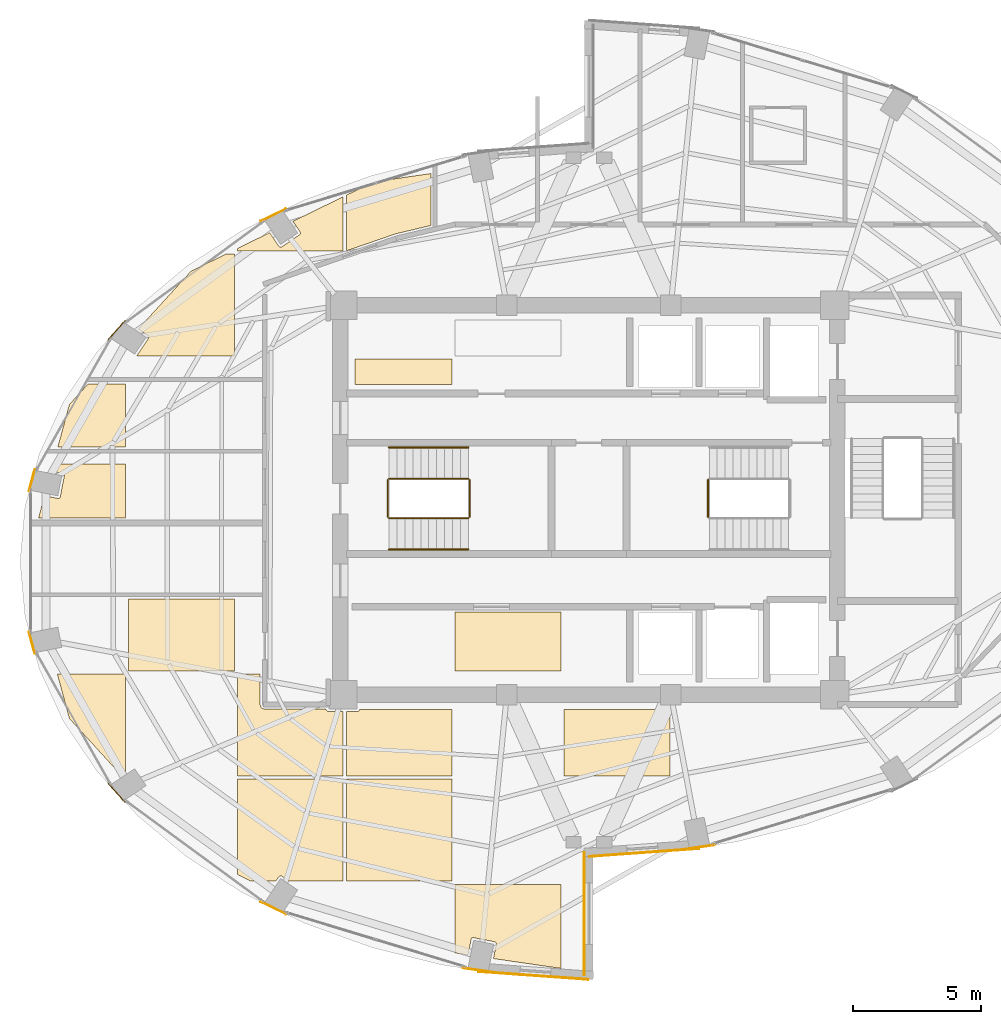
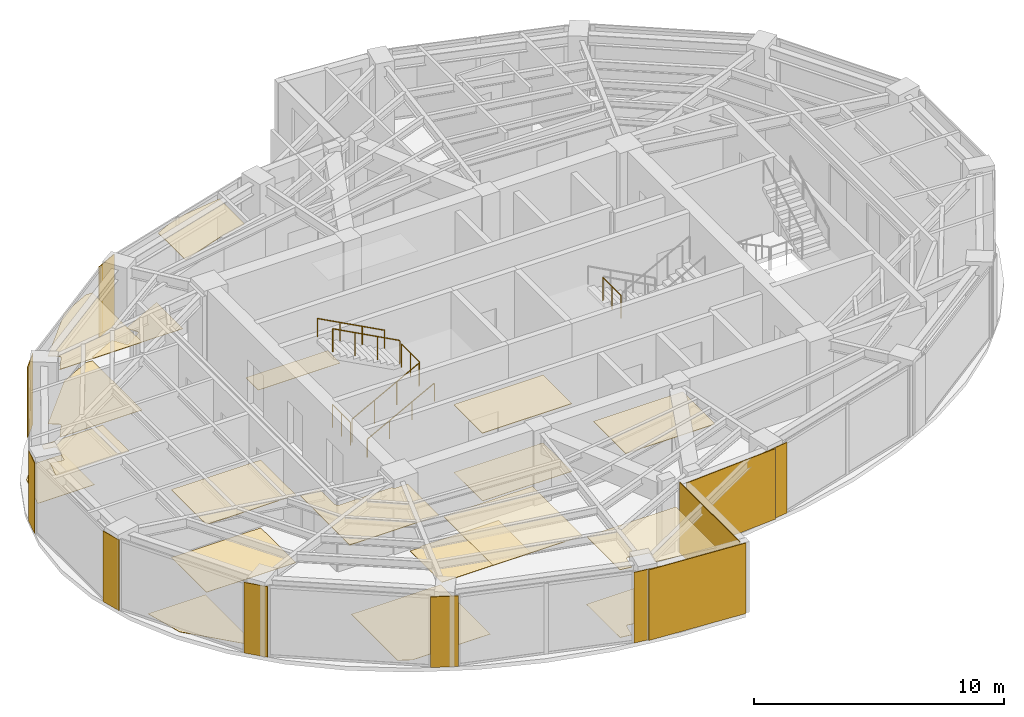
# One storey, part 22 of 23: 30 coverings, 7 railings.
"""IFC4 building model written with IfcOpenShell, lengths in metres."""

from ifc_helpers import new_model, si_unit, direction, frame, origin, origin_2d, place, context, subcontext, project, spatial, polyline, rectangle, circle, outline, extrude, material, layer, layer_set, type_object, element, save


model = new_model("IFC4")

# Units and contexts
model_context = context("Model", 3, precision=1e-05, world=origin(), true_north=direction((0.0, 1.0)))
body_context = subcontext(model_context, "Body", "Model", "MODEL_VIEW")
ifc_project = project(units=[si_unit("LENGTHUNIT", "METRE"), si_unit("AREAUNIT", "SQUARE_METRE"), si_unit("VOLUMEUNIT", "CUBIC_METRE"), si_unit("PLANEANGLEUNIT", "RADIAN"), si_unit("MASSUNIT", "GRAM", prefix="KILO")], contexts=[model_context])

# Site, building, storey
site_placement = place(None, origin())
site = spatial("IfcSite", under=ifc_project, at=site_placement, CompositionType="ELEMENT")
building_placement = place(site_placement, origin())
building = spatial("IfcBuilding", under=site, at=building_placement, Name="Lazwardi Medical Tower", CompositionType="ELEMENT")
storey_placement = place(building_placement, frame((0.0, 0.0, 198.47998046875)))
storey = spatial("IfcBuildingStorey", under=building, at=storey_placement, Name="L51", CompositionType="ELEMENT", Elevation=198.47998046875)

# Coverings
ifc_material_1 = material(Name="Anodised bronze aluminium cassette cladding", Category="aluminium")
ifc_layer_1 = layer(ifc_material_1, 0.030029296875)
ifc_layer_set_1 = layer_set([ifc_layer_1], Name="Anodised bronze aluminium cassette cladding")
covering_type_1 = type_object("IfcCoveringType", Name="COV-CLD-BRZ", PredefinedType="CLADDING", material=ifc_layer_set_1)
covering_1_placement = place(storey_placement, frame((40.3232421875, 14.450439453125, 0.0), z_axis=(0.0, 0.0, 1.0), x_axis=(0.989512431533, 0.144447733943, 0.0)))
element("IfcCovering", 1, at=covering_1_placement, inside=storey, type_object=covering_type_1, Name="L51 Mega-column bronze cassette cover M01", PredefinedType="CLADDING", context=body_context, shape_type="SweptSolid", body=[
    extrude(rectangle(XDim=1.188720703125, YDim=0.030029296875, at=origin_2d()), origin(), (0.0, 0.0, 1.0), 3.447998046875),
])
covering_2_placement = place(storey_placement, frame((23.688720703125, 39.121337890625, 0.0), z_axis=(0.0, 0.0, 1.0), x_axis=(-0.897840141691, -0.440321564278, 0.0)))
element("IfcCovering", 2, at=covering_2_placement, inside=storey, type_object=covering_type_1, Name="L51 Mega-column bronze cassette cover M10", PredefinedType="CLADDING", context=body_context, shape_type="SweptSolid", body=[
    extrude(rectangle(XDim=1.110595703125, YDim=0.030029296875, at=origin_2d()), origin(), (0.0, 0.0, 1.0), 3.447998046875),
])
covering_3_placement = place(storey_placement, frame((17.57470703125, 34.634765625, 0.0), z_axis=(0.0, 0.0, 1.0), x_axis=(-0.673240970654, -0.739423150458, 0.0)))
element("IfcCovering", 3, at=covering_3_placement, inside=storey, type_object=covering_type_1, Name="L51 Mega-column bronze cassette cover M11", PredefinedType="CLADDING", context=body_context, shape_type="SweptSolid", body=[
    extrude(rectangle(XDim=0.98974609375, YDim=0.030029296875, at=origin_2d()), origin(), (0.0, 0.0, 1.0), 3.447998046875),
])
for number, where, z_axis, x_axis, name in (
    (4, (14.265869140625, 28.772705078125, 0.0), (0.0, 0.0, 1.0), (-0.261641748247, -0.96516506131, 0.0), "L51 Mega-column bronze cassette cover M12"),
    (5, (14.265869140625, 22.427490234375, 0.0), (0.0, 0.0, 1.0), (0.261641748247, -0.96516506131, 0.0), "L51 Mega-column bronze cassette cover M13"),
):
    element("IfcCovering", number, at=place(storey_placement, frame(where, z_axis=z_axis, x_axis=x_axis)), inside=storey, type_object=covering_type_1, Name=name, PredefinedType="CLADDING", context=body_context, shape_type="SweptSolid", body=[
        extrude(rectangle(XDim=0.894287109375, YDim=0.030029296875, at=origin_2d()), origin(), (0.0, 0.0, 1.0), 3.447998046875),
    ])
covering_4_placement = place(storey_placement, frame((17.57470703125, 16.565185546875, 0.0), z_axis=(0.0, 0.0, 1.0), x_axis=(0.673240970654, -0.739423150458, 0.0)))
element("IfcCovering", 6, at=covering_4_placement, inside=storey, type_object=covering_type_1, Name="L51 Mega-column bronze cassette cover M14", PredefinedType="CLADDING", context=body_context, shape_type="SweptSolid", body=[
    extrude(rectangle(XDim=0.98974609375, YDim=0.030029296875, at=origin_2d()), origin(), (0.0, 0.0, 1.0), 3.447998046875),
])
covering_5_placement = place(storey_placement, frame((23.688720703125, 12.07861328125, 0.0), z_axis=(0.0, 0.0, 1.0), x_axis=(0.897840141691, -0.440321564278, 0.0)))
element("IfcCovering", 7, at=covering_5_placement, inside=storey, type_object=covering_type_1, Name="L51 Mega-column bronze cassette cover M15", PredefinedType="CLADDING", context=body_context, shape_type="SweptSolid", body=[
    extrude(rectangle(XDim=1.110595703125, YDim=0.030029296875, at=origin_2d()), origin(), (0.0, 0.0, 1.0), 3.447998046875),
])
covering_6_placement = place(storey_placement, frame((31.6767578125, 9.650390625, 0.0), z_axis=(0.0, 0.0, 1.0), x_axis=(0.989512431533, -0.144447733943, 0.0)))
element("IfcCovering", 8, at=covering_6_placement, inside=storey, type_object=covering_type_1, Name="L51 Mega-column bronze cassette cover M16", PredefinedType="CLADDING", context=body_context, shape_type="SweptSolid", body=[
    extrude(rectangle(XDim=1.188720703125, YDim=0.030029296875, at=origin_2d()), origin(), (0.0, 0.0, 1.0), 3.447998046875),
])
ifc_material_2 = material(Name="Turquoise glazed ceramic tilework cladding", Category="masonry")
ifc_layer_2 = layer(ifc_material_2, 0.034912109375)
ifc_layer_set_2 = layer_set([ifc_layer_2], Name="Turquoise glazed ceramic tilework cladding")
covering_type_2 = type_object("IfcCoveringType", Name="COV-CLD-TRQ", PredefinedType="CLADDING", material=ifc_layer_set_2)
covering_7_placement = place(storey_placement, frame((38.16259765625, 14.239990234375, 0.0), z_axis=(0.0, 0.0, 1.0), x_axis=(0.997409491337, 0.071932653157, 0.0)))
element("IfcCovering", 9, at=covering_7_placement, inside=storey, type_object=covering_type_2, Name="L51 Turquoise glazed ceramic tilework cladding", PredefinedType="CLADDING", context=body_context, shape_type="SweptSolid", body=[
    extrude(rectangle(XDim=4.31103515625, YDim=0.034912109375, at=origin_2d()), origin(), (0.0, 0.0, 1.0), 3.447998046875),
])
covering_8_placement = place(storey_placement, frame((33.83740234375, 9.43994140625, 0.0), z_axis=(0.0, 0.0, 1.0), x_axis=(0.997408989128, -0.071939616387, 0.0)))
element("IfcCovering", 10, at=covering_8_placement, inside=storey, type_object=covering_type_2, Name="L51 Turquoise glazed ceramic tilework cladding", PredefinedType="CLADDING", context=body_context, shape_type="SweptSolid", body=[
    extrude(rectangle(XDim=4.310546875, YDim=0.034912109375, at=origin_2d()), origin(), (0.0, 0.0, 1.0), 3.447998046875),
])
covering_9_placement = place(storey_placement, frame((35.824462890625, 11.860107421875, 0.0), z_axis=(0.0, 0.0, 1.0), x_axis=(0.0, 1.0, 0.0)))
element("IfcCovering", 11, at=covering_9_placement, inside=storey, type_object=covering_type_2, Name="L51 Turquoise glazed ceramic tilework iwan panel", PredefinedType="CLADDING", context=body_context, shape_type="SweptSolid", body=[
    extrude(rectangle(XDim=4.800048828125, YDim=0.034912109375, at=origin_2d()), origin(), (0.0, 0.0, 1.0), 3.447998046875),
])
ifc_material_3 = material(Name="Acoustic mineral fibre tile")
ifc_layer_3 = layer(ifc_material_3, 0.02490234375)
ifc_layer_set_3 = layer_set([ifc_layer_3], Name="Acoustic mineral fibre tile")
covering_type_3 = type_object("IfcCoveringType", Name="COV-CLG-01", PredefinedType="CEILING", material=ifc_layer_set_3)
covering_10_placement = place(storey_placement, frame((0.0, 0.0, 3.302978515625)))
element("IfcCovering", 12, at=covering_10_placement, inside=storey, type_object=covering_type_3, Name="L51 Clinical Acoustic Ceiling 1", PredefinedType="CEILING", context=body_context, shape_type="SweptSolid", body=[
    extrude(outline(polyline([(15.09619140625, 29.402587890625), (15.0224609375, 29.13134765625), (15.4716796875, 29.0419921875), (15.479248046875, 29.040283203125), (15.486572265625, 29.03759765625), (15.49365234375, 29.0341796875), (15.50048828125, 29.030029296875), (15.5068359375, 29.025390625), (15.5126953125, 29.020263671875), (15.517822265625, 29.014404296875), (15.5224609375, 29.008056640625), (15.526611328125, 29.001220703125), (15.52978515625, 28.994140625), (15.53271484375, 28.98681640625), (15.534423828125, 28.979248046875), (15.53564453125, 28.971435546875), (15.535888671875, 28.963623046875), (15.53564453125, 28.955810546875), (15.534423828125, 28.947998046875), (15.37060546875, 28.124267578125), (15.36865234375, 28.11669921875), (15.365966796875, 28.109130859375), (15.36279296875, 28.10205078125), (15.358642578125, 28.095458984375), (15.35400390625, 28.089111328125), (15.3486328125, 28.083251953125), (15.343017578125, 28.077880859375), (15.33642578125, 28.0732421875), (15.329833984375, 28.069091796875), (15.32275390625, 28.06591796875), (15.315185546875, 28.063232421875), (15.3076171875, 28.061279296875), (15.2998046875, 28.060302734375), (15.2919921875, 28.059814453125), (15.2841796875, 28.060302734375), (15.276611328125, 28.061279296875), (14.759521484375, 28.1640625), (14.52490234375, 27.300048828125), (17.912841796875, 27.300048828125), (17.912841796875, 29.402587890625), (15.09619140625, 29.402587890625)])), origin(), (0.0, 0.0, 1.0), 0.025146484375),
])
covering_11_placement = place(storey_placement, frame((0.0, 0.0, 3.302978515625)))
element("IfcCovering", 13, at=covering_11_placement, inside=storey, type_object=covering_type_3, Name="L51 Clinical Acoustic Ceiling 2", PredefinedType="CEILING", context=body_context, shape_type="SweptSolid", body=[
    extrude(outline(polyline([(22.162841796875, 24.135009765625), (18.032958984375, 24.135009765625), (18.032958984375, 21.322509765625), (22.162841796875, 21.322509765625), (22.162841796875, 24.135009765625)])), origin(), (0.0, 0.0, 1.0), 0.025146484375),
])
covering_12_placement = place(storey_placement, frame((0.0, 0.0, 3.302978515625)))
element("IfcCovering", 14, at=covering_12_placement, inside=storey, type_object=covering_type_3, Name="L51 Clinical Acoustic Ceiling 3", PredefinedType="CEILING", context=body_context, shape_type="SweptSolid", body=[
    extrude(outline(polyline([(21.84619140625, 37.6025390625), (20.478271484375, 36.933349609375), (18.415283203125, 34.673095703125), (18.7919921875, 34.42138671875), (18.79833984375, 34.416748046875), (18.80419921875, 34.41162109375), (18.809326171875, 34.40576171875), (18.814208984375, 34.3994140625), (18.818115234375, 34.392578125), (18.821533203125, 34.385498046875), (18.82421875, 34.378173828125), (18.826171875, 34.37060546875), (18.8271484375, 34.36279296875), (18.82763671875, 34.35498046875), (18.8271484375, 34.34716796875), (18.826171875, 34.33935546875), (18.82421875, 34.331787109375), (18.821533203125, 34.324462890625), (18.818115234375, 34.3173828125), (18.814208984375, 34.310546875), (18.354248046875, 33.62255859375), (22.162841796875, 33.62255859375), (22.162841796875, 37.6025390625), (21.84619140625, 37.6025390625)])), origin(), (0.0, 0.0, 1.0), 0.025146484375),
])
covering_13_placement = place(storey_placement, frame((0.0, 0.0, 3.302978515625)))
element("IfcCovering", 15, at=covering_13_placement, inside=storey, type_object=covering_type_3, Name="L51 Clinical Acoustic Ceiling 4", PredefinedType="CEILING", context=body_context, shape_type="SweptSolid", body=[
    extrude(outline(polyline([(26.412841796875, 19.75), (25.830078125, 19.75), (25.822265625, 19.75048828125), (25.814453125, 19.75146484375), (25.806884765625, 19.75341796875), (25.79931640625, 19.756103515625), (25.792236328125, 19.759521484375), (25.78564453125, 19.763427734375), (25.779296875, 19.768310546875), (25.7734375, 19.7734375), (25.768310546875, 19.779296875), (25.763427734375, 19.78564453125), (25.759521484375, 19.792236328125), (25.756103515625, 19.79931640625), (25.75341796875, 19.806884765625), (25.75146484375, 19.814453125), (25.75048828125, 19.822265625), (25.75, 19.830078125), (25.75, 19.844970703125), (23.35009765625, 19.844970703125), (23.345703125, 19.84521484375), (23.33642578125, 19.845703125), (23.32958984375, 19.84619140625), (23.3203125, 19.84765625), (23.31201171875, 19.84912109375), (23.302734375, 19.8515625), (23.2958984375, 19.853515625), (23.287109375, 19.856689453125), (23.279296875, 19.860107421875), (23.270751953125, 19.864013671875), (23.263916015625, 19.86767578125), (23.256103515625, 19.872314453125), (23.249267578125, 19.876953125), (23.24169921875, 19.882568359375), (23.236083984375, 19.88720703125), (23.229248046875, 19.893310546875), (23.223388671875, 19.8994140625), (23.217041015625, 19.90625), (23.21240234375, 19.911865234375), (23.206787109375, 19.919189453125), (23.202392578125, 19.926025390625), (23.197509765625, 19.93408203125), (23.194091796875, 19.94091796875), (23.18994140625, 19.94921875), (23.186767578125, 19.95703125), (23.18359375, 19.9658203125), (23.181396484375, 19.972900390625), (23.17919921875, 19.98193359375), (23.177490234375, 19.990234375), (23.17626953125, 19.99951171875), (23.175537109375, 20.00634765625), (23.175048828125, 20.015625), (23.175048828125, 20.02001953125), (23.175048828125, 21.202392578125), (22.282958984375, 21.202392578125), (22.282958984375, 17.222412109375), (26.412841796875, 17.222412109375), (26.412841796875, 19.75)])), origin(), (0.0, 0.0, 1.0), 0.025146484375),
])
covering_14_placement = place(storey_placement, frame((0.0, 0.0, 3.302978515625)))
element("IfcCovering", 16, at=covering_14_placement, inside=storey, type_object=covering_type_3, Name="L51 Clinical Acoustic Ceiling 5", PredefinedType="CEILING", context=body_context, shape_type="SweptSolid", body=[
    extrude(outline(polyline([(30.662841796875, 13.12255859375), (30.662841796875, 17.1025390625), (26.532958984375, 17.1025390625), (26.532958984375, 13.12255859375), (30.662841796875, 13.12255859375)])), origin(), (0.0, 0.0, 1.0), 0.025146484375),
])
covering_15_placement = place(storey_placement, frame((0.0, 0.0, 3.302978515625)))
element("IfcCovering", 17, at=covering_15_placement, inside=storey, type_object=covering_type_3, Name="L51 Clinical Acoustic Ceiling 6", PredefinedType="CEILING", context=body_context, shape_type="SweptSolid", body=[
    extrude(outline(polyline([(26.532958984375, 37.72265625), (28.457763671875, 38.385498046875), (28.461669921875, 38.386962890625), (28.470703125, 38.389404296875), (28.474365234375, 38.390380859375), (29.8349609375, 38.713134765625), (29.8349609375, 40.741455078125), (27.59716796875, 40.41552734375), (26.532958984375, 39.89501953125), (26.532958984375, 37.72265625)])), origin(), (0.0, 0.0, 1.0), 0.025146484375),
])
covering_16_placement = place(storey_placement, frame((0.0, 0.0, 3.302978515625)))
element("IfcCovering", 18, at=covering_16_placement, inside=storey, type_object=covering_type_3, Name="L51 Clinical Acoustic Ceiling 7", PredefinedType="CEILING", context=body_context, shape_type="SweptSolid", body=[
    extrude(outline(polyline([(30.782958984375, 10.320556640625), (31.285400390625, 10.247314453125), (31.40673828125, 10.8583984375), (31.40869140625, 10.865966796875), (31.411376953125, 10.873291015625), (31.414794921875, 10.88037109375), (31.418701171875, 10.88720703125), (31.423583984375, 10.8935546875), (31.4287109375, 10.8994140625), (31.4345703125, 10.904541015625), (31.44091796875, 10.9091796875), (31.447509765625, 10.913330078125), (31.45458984375, 10.91650390625), (31.462158203125, 10.919189453125), (31.4697265625, 10.921142578125), (31.4775390625, 10.92236328125), (31.4853515625, 10.922607421875), (31.4931640625, 10.92236328125), (31.5009765625, 10.921142578125), (32.32470703125, 10.75732421875), (32.332275390625, 10.75537109375), (32.339599609375, 10.752685546875), (32.3466796875, 10.74951171875), (32.353515625, 10.745361328125), (32.35986328125, 10.740478515625), (32.36572265625, 10.7353515625), (32.370849609375, 10.7294921875), (32.37548828125, 10.72314453125), (32.379638671875, 10.716552734375), (32.383056640625, 10.70947265625), (32.3857421875, 10.701904296875), (32.3876953125, 10.6943359375), (32.388671875, 10.6865234375), (32.38916015625, 10.6787109375), (32.388671875, 10.6708984375), (32.3876953125, 10.6630859375), (32.276123046875, 10.10302734375), (34.912841796875, 9.71923828125), (34.912841796875, 13.00244140625), (30.782958984375, 13.00244140625), (30.782958984375, 10.320556640625)])), origin(), (0.0, 0.0, 1.0), 0.025146484375),
])
covering_17_placement = place(storey_placement, frame((0.0, 0.0, 3.302978515625)))
element("IfcCovering", 19, at=covering_17_placement, inside=storey, type_object=covering_type_3, Name="L51 Clinical Acoustic Ceiling 8", PredefinedType="CEILING", context=body_context, shape_type="SweptSolid", body=[
    extrude(outline(polyline([(34.912841796875, 23.6201171875), (30.782958984375, 23.6201171875), (30.782958984375, 21.322509765625), (34.912841796875, 21.322509765625), (34.912841796875, 23.6201171875)])), origin(), (0.0, 0.0, 1.0), 0.025146484375),
])
covering_18_placement = place(storey_placement, frame((0.0, 0.0, 3.302978515625)))
element("IfcCovering", 20, at=covering_18_placement, inside=storey, type_object=covering_type_3, Name="L51 Clinical Acoustic Ceiling 10", PredefinedType="CEILING", context=body_context, shape_type="SweptSolid", body=[
    extrude(outline(polyline([(39.162841796875, 19.820068359375), (35.032958984375, 19.820068359375), (35.032958984375, 17.222412109375), (39.162841796875, 17.222412109375), (39.162841796875, 19.820068359375)])), origin(), (0.0, 0.0, 1.0), 0.025146484375),
])
ifc_material_4 = material(Name="Anti-static hospital vinyl sheet flooring")
ifc_layer_4 = layer(ifc_material_4, 0.014892578125)
ifc_layer_set_4 = layer_set([ifc_layer_4], Name="Anti-static hospital vinyl sheet flooring")
covering_type_4 = type_object("IfcCoveringType", Name="COV-FLR-01", PredefinedType="FLOORING", material=ifc_layer_set_4)
covering_19_placement = place(storey_placement, origin())
element("IfcCovering", 21, at=covering_19_placement, inside=storey, type_object=covering_type_4, Name="L51 Clinical Vinyl Flooring 1", PredefinedType="FLOORING", context=body_context, shape_type="SweptSolid", body=[
    extrude(outline(polyline([(15.2578125, 21.202392578125), (15.728271484375, 19.470703125), (17.7333984375, 17.273681640625), (17.912841796875, 17.393798828125), (17.912841796875, 21.202392578125), (15.2578125, 21.202392578125)])), origin(), (0.0, 0.0, 1.0), 0.01513671875),
])
covering_20_placement = place(storey_placement, origin())
element("IfcCovering", 22, at=covering_20_placement, inside=storey, type_object=covering_type_4, Name="L51 Clinical Vinyl Flooring 2", PredefinedType="FLOORING", context=body_context, shape_type="SweptSolid", body=[
    extrude(outline(polyline([(17.912841796875, 32.534912109375), (16.4638671875, 32.534912109375), (15.728271484375, 31.729248046875), (15.276123046875, 30.06494140625), (17.912841796875, 30.06494140625), (17.912841796875, 32.534912109375)])), origin(), (0.0, 0.0, 1.0), 0.01513671875),
])
covering_21_placement = place(storey_placement, origin())
element("IfcCovering", 23, at=covering_21_placement, inside=storey, type_object=covering_type_4, Name="L51 Clinical Vinyl Flooring 3", PredefinedType="FLOORING", context=body_context, shape_type="SweptSolid", body=[
    extrude(outline(polyline([(22.162841796875, 24.135009765625), (18.032958984375, 24.135009765625), (18.032958984375, 21.322509765625), (22.162841796875, 21.322509765625), (22.162841796875, 24.135009765625)])), origin(), (0.0, 0.0, 1.0), 0.01513671875),
])
covering_22_placement = place(storey_placement, origin())
element("IfcCovering", 24, at=covering_22_placement, inside=storey, type_object=covering_type_4, Name="L51 Clinical Vinyl Flooring 4", PredefinedType="FLOORING", context=body_context, shape_type="SweptSolid", body=[
    extrude(outline(polyline([(21.84619140625, 37.6025390625), (20.478271484375, 36.933349609375), (18.415283203125, 34.673095703125), (18.7919921875, 34.42138671875), (18.79833984375, 34.416748046875), (18.80419921875, 34.41162109375), (18.809326171875, 34.40576171875), (18.814208984375, 34.3994140625), (18.818115234375, 34.392578125), (18.821533203125, 34.385498046875), (18.82421875, 34.378173828125), (18.826171875, 34.37060546875), (18.8271484375, 34.36279296875), (18.82763671875, 34.35498046875), (18.8271484375, 34.34716796875), (18.826171875, 34.33935546875), (18.82421875, 34.331787109375), (18.821533203125, 34.324462890625), (18.818115234375, 34.3173828125), (18.814208984375, 34.310546875), (18.354248046875, 33.62255859375), (22.162841796875, 33.62255859375), (22.162841796875, 37.6025390625), (21.84619140625, 37.6025390625)])), origin(), (0.0, 0.0, 1.0), 0.01513671875),
])
covering_23_placement = place(storey_placement, origin())
element("IfcCovering", 25, at=covering_23_placement, inside=storey, type_object=covering_type_4, Name="L51 Clinical Vinyl Flooring 5", PredefinedType="FLOORING", context=body_context, shape_type="SweptSolid", body=[
    extrude(outline(polyline([(22.282958984375, 13.3837890625), (22.8173828125, 13.12255859375), (23.78369140625, 13.12255859375), (23.900634765625, 13.297607421875), (23.905517578125, 13.303955078125), (23.91064453125, 13.309814453125), (23.91650390625, 13.31494140625), (23.9228515625, 13.319580078125), (23.929443359375, 13.32373046875), (23.9365234375, 13.3271484375), (23.944091796875, 13.329833984375), (23.95166015625, 13.331787109375), (23.95947265625, 13.332763671875), (23.96728515625, 13.333251953125), (23.97509765625, 13.332763671875), (23.98291015625, 13.331787109375), (23.990478515625, 13.329833984375), (23.997802734375, 13.3271484375), (24.0048828125, 13.32373046875), (24.01171875, 13.319580078125), (24.306884765625, 13.12255859375), (26.412841796875, 13.12255859375), (26.412841796875, 17.1025390625), (22.282958984375, 17.1025390625), (22.282958984375, 13.3837890625)])), origin(), (0.0, 0.0, 1.0), 0.01513671875),
])
covering_24_placement = place(storey_placement, origin())
element("IfcCovering", 26, at=covering_24_placement, inside=storey, type_object=covering_type_4, Name="L51 Clinical Vinyl Flooring 6", PredefinedType="FLOORING", context=body_context, shape_type="SweptSolid", body=[
    extrude(outline(polyline([(26.412841796875, 39.836181640625), (24.4521484375, 38.877197265625), (24.732177734375, 38.4580078125), (24.736083984375, 38.451171875), (24.739501953125, 38.444091796875), (24.7421875, 38.436767578125), (24.744140625, 38.42919921875), (24.7451171875, 38.42138671875), (24.74560546875, 38.41357421875), (24.7451171875, 38.40576171875), (24.744140625, 38.39794921875), (24.7421875, 38.390380859375), (24.739501953125, 38.3828125), (24.736083984375, 38.375732421875), (24.732177734375, 38.369140625), (24.727294921875, 38.36279296875), (24.72216796875, 38.35693359375), (24.71630859375, 38.351806640625), (24.7099609375, 38.346923828125), (24.01171875, 37.88037109375), (24.0048828125, 37.876220703125), (23.997802734375, 37.872802734375), (23.990478515625, 37.8701171875), (23.98291015625, 37.868408203125), (23.97509765625, 37.8671875), (23.96728515625, 37.86669921875), (23.95947265625, 37.8671875), (23.95166015625, 37.868408203125), (23.944091796875, 37.8701171875), (23.9365234375, 37.872802734375), (23.929443359375, 37.876220703125), (23.9228515625, 37.88037109375), (23.91650390625, 37.885009765625), (23.91064453125, 37.89013671875), (23.905517578125, 37.89599609375), (23.900634765625, 37.90234375), (23.545654296875, 38.43359375), (22.282958984375, 37.816162109375), (22.282958984375, 37.722412109375), (26.412841796875, 37.722412109375), (26.412841796875, 39.836181640625)])), origin(), (0.0, 0.0, 1.0), 0.01513671875),
])
covering_25_placement = place(storey_placement, origin())
element("IfcCovering", 27, at=covering_25_placement, inside=storey, type_object=covering_type_4, Name="L51 Clinical Vinyl Flooring 7", PredefinedType="FLOORING", context=body_context, shape_type="SweptSolid", body=[
    extrude(outline(polyline([(30.662841796875, 19.820068359375), (27.04931640625, 19.820068359375), (27.048583984375, 19.814453125), (27.046630859375, 19.806884765625), (27.0439453125, 19.79931640625), (27.04052734375, 19.792236328125), (27.03662109375, 19.78564453125), (27.03173828125, 19.779296875), (27.026611328125, 19.7734375), (27.020751953125, 19.768310546875), (27.014404296875, 19.763427734375), (27.0078125, 19.759521484375), (27.00048828125, 19.756103515625), (26.9931640625, 19.75341796875), (26.985595703125, 19.75146484375), (26.977783203125, 19.75048828125), (26.969970703125, 19.75), (26.532958984375, 19.75), (26.532958984375, 17.222412109375), (30.662841796875, 17.222412109375), (30.662841796875, 19.820068359375)])), origin(), (0.0, 0.0, 1.0), 0.01513671875),
])
covering_26_placement = place(storey_placement, origin())
element("IfcCovering", 28, at=covering_26_placement, inside=storey, type_object=covering_type_4, Name="L51 Clinical Vinyl Flooring 8", PredefinedType="FLOORING", context=body_context, shape_type="SweptSolid", body=[
    extrude(outline(polyline([(26.8798828125, 33.50244140625), (26.8798828125, 32.5), (30.662841796875, 32.5), (30.662841796875, 33.50244140625), (26.8798828125, 33.50244140625)])), origin(), (0.0, 0.0, 1.0), 0.01513671875),
])
covering_27_placement = place(storey_placement, origin())
element("IfcCovering", 29, at=covering_27_placement, inside=storey, type_object=covering_type_4, Name="L51 Clinical Vinyl Flooring 9", PredefinedType="FLOORING", context=body_context, shape_type="SweptSolid", body=[
    extrude(outline(polyline([(30.782958984375, 10.320556640625), (31.285400390625, 10.247314453125), (31.40673828125, 10.8583984375), (31.40869140625, 10.865966796875), (31.411376953125, 10.873291015625), (31.414794921875, 10.88037109375), (31.418701171875, 10.88720703125), (31.423583984375, 10.8935546875), (31.4287109375, 10.8994140625), (31.4345703125, 10.904541015625), (31.44091796875, 10.9091796875), (31.447509765625, 10.913330078125), (31.45458984375, 10.91650390625), (31.462158203125, 10.919189453125), (31.4697265625, 10.921142578125), (31.4775390625, 10.92236328125), (31.4853515625, 10.922607421875), (31.4931640625, 10.92236328125), (31.5009765625, 10.921142578125), (32.32470703125, 10.75732421875), (32.332275390625, 10.75537109375), (32.339599609375, 10.752685546875), (32.3466796875, 10.74951171875), (32.353515625, 10.745361328125), (32.35986328125, 10.740478515625), (32.36572265625, 10.7353515625), (32.370849609375, 10.7294921875), (32.37548828125, 10.72314453125), (32.379638671875, 10.716552734375), (32.383056640625, 10.70947265625), (32.3857421875, 10.701904296875), (32.3876953125, 10.6943359375), (32.388671875, 10.6865234375), (32.38916015625, 10.6787109375), (32.388671875, 10.6708984375), (32.3876953125, 10.6630859375), (32.276123046875, 10.10302734375), (34.912841796875, 9.71923828125), (34.912841796875, 13.00244140625), (30.782958984375, 13.00244140625), (30.782958984375, 10.320556640625)])), origin(), (0.0, 0.0, 1.0), 0.01513671875),
])
covering_28_placement = place(storey_placement, origin())
element("IfcCovering", 30, at=covering_28_placement, inside=storey, type_object=covering_type_4, Name="L51 Clinical Vinyl Flooring 10", PredefinedType="FLOORING", context=body_context, shape_type="SweptSolid", body=[
    extrude(outline(polyline([(34.912841796875, 23.6201171875), (30.782958984375, 23.6201171875), (30.782958984375, 21.322509765625), (34.912841796875, 21.322509765625), (34.912841796875, 23.6201171875)])), origin(), (0.0, 0.0, 1.0), 0.01513671875),
])

# Railings
ifc_material_5 = material(Name="Stainless steel Grade 316", Category="steel")
railing_type_1 = type_object("IfcRailingType", Name="RLG-GRD-1150", PredefinedType="GUARDRAIL", material=ifc_material_5)
railing_1_placement = place(storey_placement, frame((28.199951171875, 27.2900390625, 0.165771484375)))
element("IfcRailing", 31, at=railing_1_placement, inside=storey, type_object=railing_type_1, Name="L51 ST1 stair guard 1", PredefinedType="GUARDRAIL", context=body_context, shape_type="SweptSolid", body=[
    extrude(circle(Radius=0.02392578125, at=origin_2d()), frame((0.0, 0.0, 1.1259765625), z_axis=(0.881783298633, 0.0, 0.471654761719), x_axis=(0.0, 1.0, 0.0)), (0.0, 0.0, 1.0), 3.515625),
    extrude(circle(Radius=0.02099609375, at=origin_2d()), origin(), (0.0, 0.0, 1.0), 1.099853515625),
    extrude(circle(Radius=0.02099609375, at=origin_2d()), frame((1.033447265625, 0.0, 0.552734375)), (0.0, 0.0, 1.0), 1.099853515625),
    extrude(circle(Radius=0.02099609375, at=origin_2d()), frame((2.066650390625, 0.0, 1.10546875)), (0.0, 0.0, 1.0), 1.099853515625),
    extrude(circle(Radius=0.02099609375, at=origin_2d()), frame((3.10009765625, 0.0, 1.658203125)), (0.0, 0.0, 1.0), 1.099853515625),
])
railing_2_placement = place(storey_placement, frame((31.35009765625, 27.340087890625, 1.823974609375)))
element("IfcRailing", 32, at=railing_2_placement, inside=storey, type_object=railing_type_1, Name="L51 ST1 stair guard 2", PredefinedType="GUARDRAIL", context=body_context, shape_type="SweptSolid", body=[
    extrude(circle(Radius=0.02392578125, at=origin_2d()), frame((0.0, 0.0, 1.1259765625), z_axis=(0.0, 1.0, 0.0), x_axis=(-1.0, 0.0, 0.0)), (0.0, 0.0, 1.0), 1.43994140625),
    extrude(circle(Radius=0.02099609375, at=origin_2d()), origin(), (0.0, 0.0, 1.0), 1.099853515625),
    extrude(circle(Radius=0.02099609375, at=origin_2d()), frame((0.0, 0.719970703125, 0.0)), (0.0, 0.0, 1.0), 1.099853515625),
    extrude(circle(Radius=0.02099609375, at=origin_2d()), frame((0.0, 1.43994140625, 0.0)), (0.0, 0.0, 1.0), 1.099853515625),
])
railing_3_placement = place(storey_placement, frame((31.300048828125, 28.830078125, 1.98974609375)))
element("IfcRailing", 33, at=railing_3_placement, inside=storey, type_object=railing_type_1, Name="L51 ST1 stair guard 3", PredefinedType="GUARDRAIL", context=body_context, shape_type="SweptSolid", body=[
    extrude(circle(Radius=0.02392578125, at=origin_2d()), frame((0.0, 0.0, 1.1259765625), z_axis=(-0.881783298633, 0.0, 0.471654761719), x_axis=(0.0, -1.0, 0.0)), (0.0, 0.0, 1.0), 3.515625),
    extrude(circle(Radius=0.02099609375, at=origin_2d()), origin(), (0.0, 0.0, 1.0), 1.099853515625),
    extrude(circle(Radius=0.02099609375, at=origin_2d()), frame((-1.033447265625, 0.0, 0.552734375)), (0.0, 0.0, 1.0), 1.099853515625),
    extrude(circle(Radius=0.02099609375, at=origin_2d()), frame((-2.066650390625, 0.0, 1.10546875)), (0.0, 0.0, 1.0), 1.099853515625),
    extrude(circle(Radius=0.02099609375, at=origin_2d()), frame((-3.10009765625, 0.0, 1.658203125)), (0.0, 0.0, 1.0), 1.099853515625),
])
railing_4_placement = place(storey_placement, frame((28.14990234375, 27.340087890625, 0.0)))
element("IfcRailing", 34, at=railing_4_placement, inside=storey, type_object=railing_type_1, Name="L51 ST1 stair guard 4", PredefinedType="GUARDRAIL", context=body_context, shape_type="SweptSolid", body=[
    extrude(circle(Radius=0.02392578125, at=origin_2d()), frame((0.0, 0.0, 1.1259765625), z_axis=(0.0, 1.0, 0.0), x_axis=(-1.0, 0.0, 0.0)), (0.0, 0.0, 1.0), 1.43994140625),
    extrude(circle(Radius=0.02099609375, at=origin_2d()), origin(), (0.0, 0.0, 1.0), 1.099853515625),
    extrude(circle(Radius=0.02099609375, at=origin_2d()), frame((0.0, 0.719970703125, 0.0)), (0.0, 0.0, 1.0), 1.099853515625),
    extrude(circle(Radius=0.02099609375, at=origin_2d()), frame((0.0, 1.43994140625, 0.0)), (0.0, 0.0, 1.0), 1.099853515625),
])
railing_5_placement = place(storey_placement, frame((40.64990234375, 28.780029296875, 1.823974609375)))
element("IfcRailing", 35, at=railing_5_placement, inside=storey, type_object=railing_type_1, Name="L51 ST2 stair guard 2", PredefinedType="GUARDRAIL", context=body_context, shape_type="SweptSolid", body=[
    extrude(circle(Radius=0.02392578125, at=origin_2d()), frame((0.0, 0.0, 1.1259765625), z_axis=(0.0, -1.0, 0.0), x_axis=(1.0, 0.0, 0.0)), (0.0, 0.0, 1.0), 1.43994140625),
    extrude(circle(Radius=0.02099609375, at=origin_2d()), origin(), (0.0, 0.0, 1.0), 1.099853515625),
    extrude(circle(Radius=0.02099609375, at=origin_2d()), frame((0.0, -0.719970703125, 0.0)), (0.0, 0.0, 1.0), 1.099853515625),
    extrude(circle(Radius=0.02099609375, at=origin_2d()), frame((0.0, -1.43994140625, 0.0)), (0.0, 0.0, 1.0), 1.099853515625),
])
railing_type_2 = type_object("IfcRailingType", Name="RLG-HND-920", PredefinedType="HANDRAIL", material=ifc_material_5)
railing_6_placement = place(storey_placement, frame((28.199951171875, 26.070068359375, 0.165771484375)))
element("IfcRailing", 36, at=railing_6_placement, inside=storey, type_object=railing_type_2, Name="L51 ST1 stair handrail 1", PredefinedType="HANDRAIL", context=body_context, shape_type="SweptSolid", body=[
    extrude(circle(Radius=0.02392578125, at=origin_2d()), frame((0.0, 0.0, 0.8857421875), z_axis=(0.881783298633, 0.0, 0.471654761719), x_axis=(0.0, 1.0, 0.0)), (0.0, 0.0, 1.0), 3.515625),
    extrude(circle(Radius=0.02099609375, at=origin_2d()), origin(), (0.0, 0.0, 1.0), 0.85986328125),
    extrude(circle(Radius=0.02099609375, at=origin_2d()), frame((1.033447265625, 0.0, 0.552734375)), (0.0, 0.0, 1.0), 0.85986328125),
    extrude(circle(Radius=0.02099609375, at=origin_2d()), frame((2.066650390625, 0.0, 1.10546875)), (0.0, 0.0, 1.0), 0.85986328125),
    extrude(circle(Radius=0.02099609375, at=origin_2d()), frame((3.10009765625, 0.0, 1.658203125)), (0.0, 0.0, 1.0), 0.85986328125),
])
railing_7_placement = place(storey_placement, frame((31.300048828125, 30.050048828125, 1.98974609375)))
element("IfcRailing", 37, at=railing_7_placement, inside=storey, type_object=railing_type_2, Name="L51 ST1 stair handrail 2", PredefinedType="HANDRAIL", context=body_context, shape_type="SweptSolid", body=[
    extrude(circle(Radius=0.02392578125, at=origin_2d()), frame((0.0, 0.0, 0.8857421875), z_axis=(-0.881783298633, 0.0, 0.471654761719), x_axis=(0.0, -1.0, 0.0)), (0.0, 0.0, 1.0), 3.515625),
    extrude(circle(Radius=0.02099609375, at=origin_2d()), origin(), (0.0, 0.0, 1.0), 0.85986328125),
    extrude(circle(Radius=0.02099609375, at=origin_2d()), frame((-1.033447265625, 0.0, 0.552734375)), (0.0, 0.0, 1.0), 0.85986328125),
    extrude(circle(Radius=0.02099609375, at=origin_2d()), frame((-2.066650390625, 0.0, 1.10546875)), (0.0, 0.0, 1.0), 0.85986328125),
    extrude(circle(Radius=0.02099609375, at=origin_2d()), frame((-3.10009765625, 0.0, 1.658203125)), (0.0, 0.0, 1.0), 0.85986328125),
])

save(model, "model.ifc")
